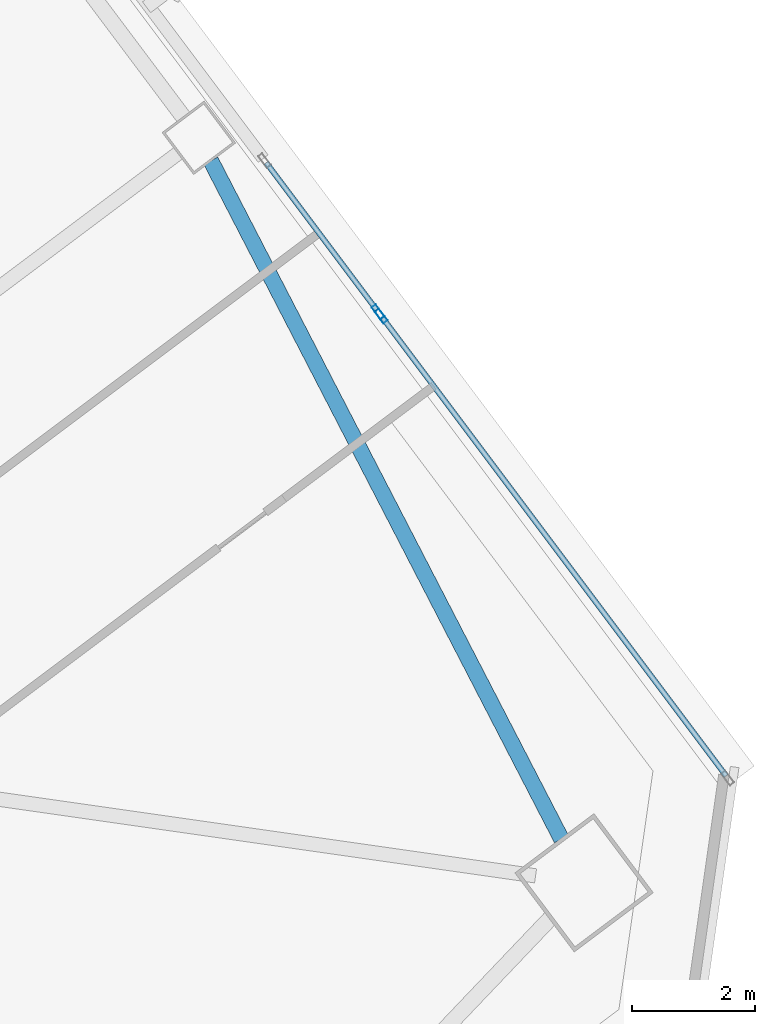
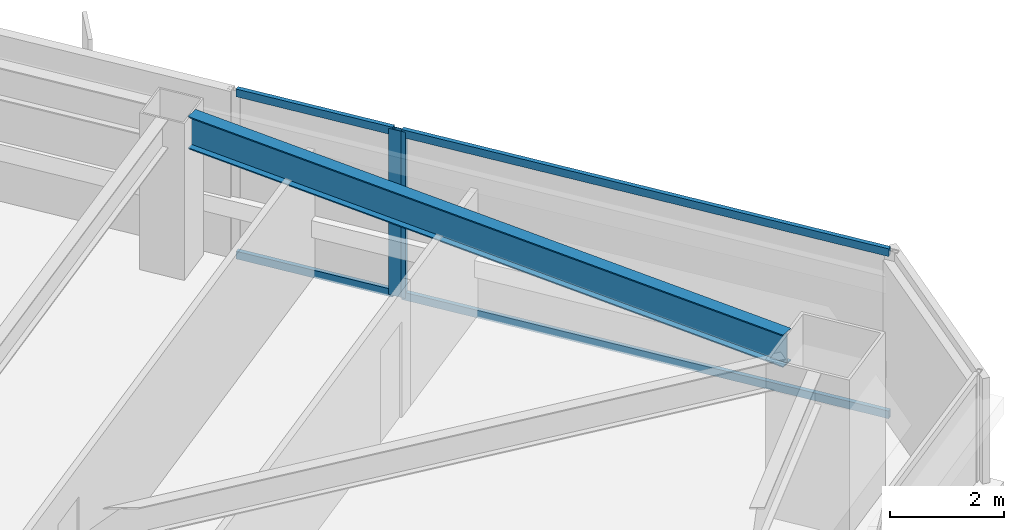
# One storey, part 40 of 62: 6 members, 1 beam, 2 elements without a shape of their own.
"""IFC4 building model written with IfcOpenShell, lengths in metres."""

from ifc_helpers import new_model, si_unit, direction, frame, origin, origin_2d, place, context, subcontext, project, spatial, hollow_rectangle, i_section, extrude, material, material_profile, profile_set, type_object, element, aggregate, save


model = new_model("IFC4")

# Units and contexts
model_context = context("Model", 3, precision=1e-05, world=origin(), true_north=direction((0.0, 1.0)))
body_context = subcontext(model_context, "Body", "Model", "MODEL_VIEW")
ifc_project = project(units=[si_unit("LENGTHUNIT", "METRE"), si_unit("AREAUNIT", "SQUARE_METRE"), si_unit("VOLUMEUNIT", "CUBIC_METRE"), si_unit("PLANEANGLEUNIT", "RADIAN"), si_unit("MASSUNIT", "GRAM", prefix="KILO")], contexts=[model_context])

# Site, building, storey
site_placement = place(None, origin())
site = spatial("IfcSite", under=ifc_project, at=site_placement, CompositionType="ELEMENT")
building_placement = place(site_placement, origin())
building = spatial("IfcBuilding", under=site, at=building_placement, Name="Tashvorn Skyway Center", CompositionType="ELEMENT")
storey_placement = place(building_placement, frame((0.0, 0.0, 28.14990234375)))
storey = spatial("IfcBuildingStorey", under=building, at=storey_placement, Name="L06", CompositionType="ELEMENT", Elevation=28.14990234375)

# Beam
ifc_material_1 = material(Name="Steel ASTM A992 Grade 50", Category="steel")
ifc_material_profile_1 = material_profile(ifc_material_1, i_section(OverallWidth=0.256103515625, OverallDepth=0.693115234375, WebThickness=0.014404296875, FlangeThickness=0.023681640625, at=origin_2d()), Name="W27X114")
ifc_profile_set_1 = profile_set([ifc_material_profile_1], Name="Steel ASTM A992 Grade 50")
beam_type = type_object("IfcBeamType", Name="BM-SPANDREL-W27X114", PredefinedType="SPANDREL", material=ifc_profile_set_1)
beam_placement = place(storey_placement, frame((139.954833984375, 28.9462890625, 3.003662109375), z_axis=(-0.459233413919, 0.888315637339, 0.0), x_axis=(-0.888315637339, -0.459233413919, 0.0)))
element("IfcBeam", 1, at=beam_placement, inside=storey, type_object=beam_type, Name="Tower 2 L06 Spandrel Beam 04", PredefinedType="SPANDREL", context=body_context, shape_type="SweptSolid", body=[
    extrude(i_section(OverallWidth=0.256103515625, OverallDepth=0.693115234375, WebThickness=0.014404296875, FlangeThickness=0.023681640625, at=origin_2d()), origin(), (0.0, 0.0, 1.0), 12.37255859375),
])

# Curtain wall, member
ifc_material_2 = material(Name="Thermally broken bronze-anodized aluminium 6063-T6", Category="aluminium")
curtain_wall_type = type_object("IfcCurtainWallType", Name="CW-CW-Z1", PredefinedType="NOTDEFINED", material=ifc_material_2)
curtain_wall_1_placement = place(storey_placement, origin())
curtain_wall_1 = element("IfcCurtainWall", 2, at=curtain_wall_1_placement, inside=storey, type_object=curtain_wall_type, Name="Tower 2 L06 East Unitised Curtain Wall Glazing Group 3", PredefinedType="NOTDEFINED")
ifc_material_profile_2 = material_profile(ifc_material_2, hollow_rectangle(XDim=0.0849609375, YDim=0.239990234375, WallThickness=0.0048828125, at=origin_2d()), Name="ALU-MULL-85x240")
ifc_profile_set_2 = profile_set([ifc_material_profile_2], Name="Thermally broken bronze-anodized aluminium 6063-T6")
member_type_1 = type_object("IfcMemberType", Name="CWM-CW-Z1", PredefinedType="MULLION", material=ifc_profile_set_2)
member_1_placement = place(storey_placement, frame((136.982421875, 37.489990234375, 0.0), z_axis=(0.0, 0.0, 1.0), x_axis=(0.799996186392, 0.600005084776, 0.0)))
member_1 = element("IfcMember", 3, at=member_1_placement, type_object=member_type_1, Name="CW-Z1 mullion 2", PredefinedType="MULLION", context=body_context, shape_type="SweptSolid", body=[
    extrude(hollow_rectangle(XDim=0.0849609375, YDim=0.239990234375, WallThickness=0.0048828125, at=origin_2d()), origin(), (0.0, 0.0, 1.0), 3.550048828125),
])

curtain_wall_2_placement = place(storey_placement, origin())
curtain_wall_2 = element("IfcCurtainWall", 4, at=curtain_wall_2_placement, inside=storey, type_object=curtain_wall_type, Name="Tower 2 L06 East Unitised Curtain Wall Glazing Group 4", PredefinedType="NOTDEFINED")
member_2_placement = place(storey_placement, frame((137.033447265625, 37.422119140625, 0.0), z_axis=(0.0, 0.0, 1.0), x_axis=(0.799999999998, 0.600000000002, 0.0)))
member_2 = element("IfcMember", 5, at=member_2_placement, type_object=member_type_1, Name="CW-Z1 mullion 1", PredefinedType="MULLION", context=body_context, shape_type="SweptSolid", body=[
    extrude(hollow_rectangle(XDim=0.0849609375, YDim=0.239990234375, WallThickness=0.0048828125, at=origin_2d()), origin(), (0.0, 0.0, 1.0), 3.550048828125),
])

# Member
ifc_material_profile_3 = material_profile(ifc_material_2, hollow_rectangle(XDim=0.0849609375, YDim=0.1650390625, WallThickness=0.0048828125, at=origin_2d()), Name="ALU-TRAN-85x165")
ifc_profile_set_3 = profile_set([ifc_material_profile_3], Name="Thermally broken bronze-anodized aluminium 6063-T6")
member_type_2 = type_object("IfcMemberType", Name="CWT-CW-Z1", PredefinedType="USERDEFINED", material=ifc_profile_set_3)
member_3_placement = place(storey_placement, frame((135.1708984375, 39.9052734375, 0.04248046875), z_axis=(0.600026244674, -0.799980315822, 0.0), x_axis=(0.799980315822, 0.600026244674, 0.0)))
member_3 = element("IfcMember", 6, at=member_3_placement, type_object=member_type_2, Name="CW-Z1 transom 1.1", ObjectType="TRANSOM", PredefinedType="USERDEFINED", context=body_context, shape_type="SweptSolid", body=[
    extrude(hollow_rectangle(XDim=0.0849609375, YDim=0.1650390625, WallThickness=0.0048828125, at=origin_2d()), origin(), (0.0, 0.0, 1.0), 2.976806640625),
])

member_4_placement = place(storey_placement, frame((135.1708984375, 39.9052734375, 3.507568359375), z_axis=(0.600026244674, -0.799980315822, 0.0), x_axis=(0.799980315822, 0.600026244674, 0.0)))
member_4 = element("IfcMember", 7, at=member_4_placement, type_object=member_type_2, Name="CW-Z1 transom 1.2", ObjectType="TRANSOM", PredefinedType="USERDEFINED", context=body_context, shape_type="SweptSolid", body=[
    extrude(hollow_rectangle(XDim=0.0849609375, YDim=0.1650390625, WallThickness=0.0048828125, at=origin_2d()), origin(), (0.0, 0.0, 1.0), 2.976806640625),
])

aggregate(curtain_wall_1, [member_1, member_3, member_4])

member_5_placement = place(storey_placement, frame((137.05908203125, 37.387939453125, 0.04248046875), z_axis=(0.6, -0.8, 0.0), x_axis=(0.8, 0.6, 0.0)))
member_5 = element("IfcMember", 8, at=member_5_placement, type_object=member_type_2, Name="CW-Z1 transom 1.1", ObjectType="TRANSOM", PredefinedType="USERDEFINED", context=body_context, shape_type="SweptSolid", body=[
    extrude(hollow_rectangle(XDim=0.0849609375, YDim=0.1650390625, WallThickness=0.0048828125, at=origin_2d()), origin(), (0.0, 0.0, 1.0), 9.27001953125),
])

member_6_placement = place(storey_placement, frame((137.05908203125, 37.387939453125, 3.507568359375), z_axis=(0.6, -0.8, 0.0), x_axis=(0.8, 0.6, 0.0)))
member_6 = element("IfcMember", 9, at=member_6_placement, type_object=member_type_2, Name="CW-Z1 transom 1.2", ObjectType="TRANSOM", PredefinedType="USERDEFINED", context=body_context, shape_type="SweptSolid", body=[
    extrude(hollow_rectangle(XDim=0.0849609375, YDim=0.1650390625, WallThickness=0.0048828125, at=origin_2d()), origin(), (0.0, 0.0, 1.0), 9.27001953125),
])

aggregate(curtain_wall_2, [member_2, member_5, member_6])

save(model, "model.ifc")
